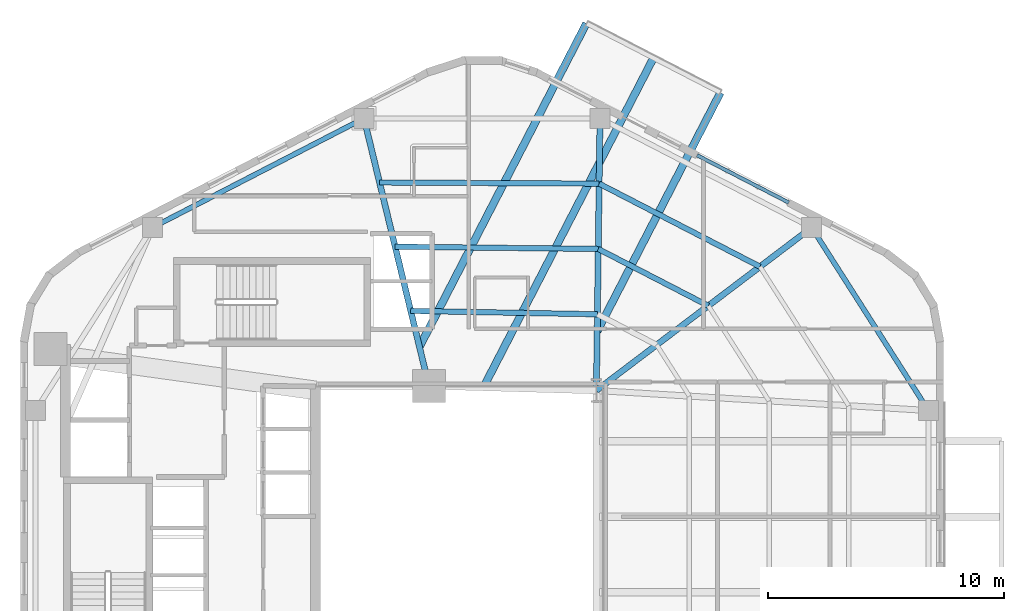
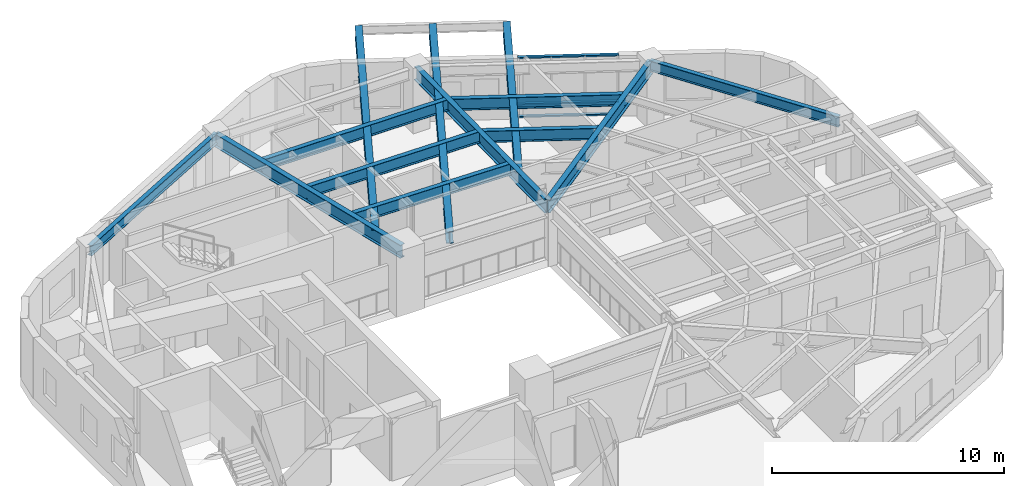
# One storey, part 2 of 12: 13 beams, 3 members, 1 element without a shape of its own.
"""IFC4 building model written with IfcOpenShell, lengths in metres."""

from ifc_helpers import new_model, si_unit, direction, frame, origin, origin_2d, place, context, subcontext, project, spatial, hollow_rectangle, i_section, extrude, material, layer, layer_set, material_profile, profile_set, type_object, element, aggregate, save


model = new_model("IFC4")

# Units and contexts
model_context = context("Model", 3, precision=1e-05, world=origin(), true_north=direction((0.0, 1.0)))
body_context = subcontext(model_context, "Body", "Model", "MODEL_VIEW")
ifc_project = project(units=[si_unit("LENGTHUNIT", "METRE"), si_unit("AREAUNIT", "SQUARE_METRE"), si_unit("VOLUMEUNIT", "CUBIC_METRE"), si_unit("PLANEANGLEUNIT", "RADIAN"), si_unit("MASSUNIT", "GRAM", prefix="KILO"), si_unit("THERMODYNAMICTEMPERATUREUNIT", "KELVIN"), si_unit("POWERUNIT", "WATT")], contexts=[model_context])

# Site, building, storey
site_placement = place(None, origin())
site = spatial("IfcSite", under=ifc_project, at=site_placement, CompositionType="ELEMENT")
building_placement = place(site_placement, origin())
building = spatial("IfcBuilding", under=site, at=building_placement, Name="Skarre Station Tower", CompositionType="ELEMENT")
storey_placement = place(building_placement, frame((0.0, 0.0, 163.64990234375)))
storey = spatial("IfcBuildingStorey", under=building, at=storey_placement, Name="L44", CompositionType="ELEMENT", Elevation=163.64990234375)

# Curtain wall, members
ifc_material_1 = material(Name="Thermally Broken Bronze-Anodized Aluminium & Triple Low-E Glass", Category="aluminium")
ifc_layer = layer(ifc_material_1, 0.18994140625, Name="Thermally Broken Bronze-Anodized Aluminium & Triple Low-E Glass")
ifc_layer_set = layer_set([ifc_layer], Name="Thermally Broken Bronze-Anodized Aluminium & Triple Low-E Glass")
curtain_wall_type = type_object("IfcCurtainWallType", Name="Sky-Garden Setback Conservatory Curtain Wall", PredefinedType="NOTDEFINED", material=ifc_layer_set)
curtain_wall_placement = place(storey_placement, origin())
curtain_wall = element("IfcCurtainWall", 1, at=curtain_wall_placement, inside=storey, type_object=curtain_wall_type, Name="L44 Facet 0 Conservatory Curtain Wall", PredefinedType="NOTDEFINED")
ifc_material_2 = material(Name="Anodized Aluminium 6063-T6", Category="aluminium")
ifc_material_profile_1 = material_profile(ifc_material_2, hollow_rectangle(XDim=0.074951171875, YDim=0.14990234375, WallThickness=0.00390625, at=origin_2d()), Name="Anodized Aluminium 6063-T6")
ifc_profile_set_1 = profile_set([ifc_material_profile_1], Name="Anodized Aluminium 6063-T6")
member_type = type_object("IfcMemberType", Name="Curtain-Wall Secondary Transom 150x75", PredefinedType="USERDEFINED", material=ifc_profile_set_1)
member_1_placement = place(storey_placement, frame((43.717041015625, 39.321044921875, 0.0400390625), z_axis=(0.888583241467, -0.458715405218, 0.0), x_axis=(0.0, 0.0, 1.0)))
member_1 = element("IfcMember", 2, at=member_1_placement, type_object=member_type, Name="L44 Facet 0 Conservatory Curtain Wall Transom 1", ObjectType="TRANSOM", PredefinedType="USERDEFINED", context=body_context, shape_type="SweptSolid", body=[
    extrude(hollow_rectangle(XDim=0.074951171875, YDim=0.14990234375, WallThickness=0.00390625, at=origin_2d()), origin(), (0.0, 0.0, 1.0), 4.37548828125),
])
member_2_placement = place(storey_placement, frame((43.717041015625, 39.321044921875, 0.7001953125), z_axis=(0.888583241467, -0.458715405218, 0.0), x_axis=(0.0, 0.0, 1.0)))
member_2 = element("IfcMember", 3, at=member_2_placement, type_object=member_type, Name="L44 Facet 0 Conservatory Curtain Wall Transom 2", ObjectType="TRANSOM", PredefinedType="USERDEFINED", context=body_context, shape_type="SweptSolid", body=[
    extrude(hollow_rectangle(XDim=0.074951171875, YDim=0.14990234375, WallThickness=0.00390625, at=origin_2d()), origin(), (0.0, 0.0, 1.0), 4.37548828125),
])
member_3_placement = place(storey_placement, frame((43.717041015625, 39.321044921875, 3.150146484375), z_axis=(0.888583241467, -0.458715405218, 0.0), x_axis=(0.0, 0.0, 1.0)))
member_3 = element("IfcMember", 4, at=member_3_placement, type_object=member_type, Name="L44 Facet 0 Conservatory Curtain Wall Transom 3", ObjectType="TRANSOM", PredefinedType="USERDEFINED", context=body_context, shape_type="SweptSolid", body=[
    extrude(hollow_rectangle(XDim=0.074951171875, YDim=0.14990234375, WallThickness=0.00390625, at=origin_2d()), origin(), (0.0, 0.0, 1.0), 4.37548828125),
])
aggregate(curtain_wall, [member_1, member_2, member_3])

# Beams
ifc_material_3 = material(Name="Steel ASTM A992 Grade 50", Category="steel")
ifc_material_profile_2 = material_profile(ifc_material_3, i_section(OverallWidth=0.323974609375, OverallDepth=0.611083984375, WebThickness=0.012939453125, FlangeThickness=0.01904296875, at=origin_2d()), Name="Steel ASTM A992 Grade 50")
ifc_profile_set_2 = profile_set([ifc_material_profile_2], Name="Steel ASTM A992 Grade 50")
beam_type_1 = type_object("IfcBeamType", Name="Steel Beam W24X104", PredefinedType="BEAM", material=ifc_profile_set_2)
beam_1_placement = place(storey_placement, frame((34.6630859375, 29.485107421875, 2.780029296875), z_axis=(0.458629062508, 0.888627809053, 0.0), x_axis=(-0.888627809053, 0.458629062508, 0.0)))
element("IfcBeam", 5, at=beam_1_placement, inside=storey, type_object=beam_type_1, Name="L44 SG-2-L45 Center Outrigger Beam", PredefinedType="BEAM", context=body_context, shape_type="SweptSolid", body=[
    extrude(i_section(OverallWidth=0.323974609375, OverallDepth=0.611083984375, WebThickness=0.012939453125, FlangeThickness=0.01904296875, at=origin_2d()), origin(), (0.0, 0.0, 1.0), 15.707275390625),
])
beam_2_placement = place(storey_placement, frame((31.949951171875, 31.198974609375, 2.780029296875), z_axis=(0.458607853228, 0.888638755039, 0.0), x_axis=(-0.888638755039, 0.458607853228, 0.0)))
element("IfcBeam", 6, at=beam_2_placement, inside=storey, type_object=beam_type_1, Name="L44 SG-2-L45 Outrigger Beam 1", PredefinedType="BEAM", context=body_context, shape_type="SweptSolid", body=[
    extrude(i_section(OverallWidth=0.323974609375, OverallDepth=0.611083984375, WebThickness=0.012939453125, FlangeThickness=0.01904296875, at=origin_2d()), origin(), (0.0, 0.0, 1.0), 15.42919921875),
])
beam_3_placement = place(storey_placement, frame((39.48291015625, 31.85205078125, 2.780029296875), z_axis=(0.45859379578, 0.888646009653, 0.0), x_axis=(-0.888646009653, 0.45859379578, 0.0)))
element("IfcBeam", 7, at=beam_3_placement, inside=storey, type_object=beam_type_1, Name="L44 SG-2-L45 Outrigger Beam 2", PredefinedType="BEAM", context=body_context, shape_type="SweptSolid", body=[
    extrude(i_section(OverallWidth=0.323974609375, OverallDepth=0.611083984375, WebThickness=0.012939453125, FlangeThickness=0.01904296875, at=origin_2d()), origin(), (0.0, 0.0, 1.0), 11.393798828125),
])
ifc_material_profile_3 = material_profile(ifc_material_3, i_section(OverallWidth=0.256103515625, OverallDepth=0.693115234375, WebThickness=0.013916015625, FlangeThickness=0.02392578125, at=origin_2d()), Name="Steel ASTM A992 Grade 50")
ifc_profile_set_3 = profile_set([ifc_material_profile_3], Name="Steel ASTM A992 Grade 50")
beam_type_2 = type_object("IfcBeamType", Name="Steel Beam W27X114", PredefinedType="BEAM", material=ifc_profile_set_3)
beam_4_placement = place(storey_placement, frame((39.449951171875, 29.35009765625, 2.843994140625), z_axis=(0.797308988117, 0.603571352425, 0.0), x_axis=(-0.603571352425, 0.797308988117, 0.0)))
element("IfcBeam", 8, at=beam_4_placement, inside=storey, type_object=beam_type_2, Name="L44 Radial Floor Girder F0C1", PredefinedType="BEAM", context=body_context, shape_type="SweptSolid", body=[
    extrude(i_section(OverallWidth=0.256103515625, OverallDepth=0.693115234375, WebThickness=0.013916015625, FlangeThickness=0.02392578125, at=origin_2d()), origin(), (0.0, 0.0, 1.0), 11.443603515625),
])
beam_5_placement = place(storey_placement, frame((39.449951171875, 29.35009765625, 2.843994140625), z_axis=(0.013181528887, 0.999913119874, 0.0), x_axis=(-0.999913119874, 0.013181528887, 0.0)))
element("IfcBeam", 9, at=beam_5_placement, inside=storey, type_object=beam_type_2, Name="L44 Radial Floor Girder F0C2", PredefinedType="BEAM", context=body_context, shape_type="SweptSolid", body=[
    extrude(i_section(OverallWidth=0.256103515625, OverallDepth=0.693115234375, WebThickness=0.013916015625, FlangeThickness=0.02392578125, at=origin_2d()), origin(), (0.0, 0.0, 1.0), 11.538818359375),
])
beam_6_placement = place(storey_placement, frame((32.35009765625, 29.550048828125, 2.843994140625), z_axis=(-0.235892880832, 0.971779063765, 0.0), x_axis=(-0.971779063765, -0.235892880832, 0.0)))
element("IfcBeam", 10, at=beam_6_placement, inside=storey, type_object=beam_type_2, Name="L44 Radial Floor Girder F1C1", PredefinedType="BEAM", context=body_context, shape_type="SweptSolid", body=[
    extrude(i_section(OverallWidth=0.256103515625, OverallDepth=0.693115234375, WebThickness=0.013916015625, FlangeThickness=0.02392578125, at=origin_2d()), origin(), (0.0, 0.0, 1.0), 11.667236328125),
])
ifc_material_profile_4 = material_profile(ifc_material_3, i_section(OverallWidth=0.22802734375, OverallDepth=0.60791015625, WebThickness=0.010986328125, FlangeThickness=0.01708984375, at=origin_2d()), Name="Steel ASTM A992 Grade 50")
ifc_profile_set_4 = profile_set([ifc_material_profile_4], Name="Steel ASTM A992 Grade 50")
beam_type_3 = type_object("IfcBeamType", Name="Steel Joist W24X76", PredefinedType="JOIST", material=ifc_profile_set_4)
beam_7_placement = place(storey_placement, frame((44.194091796875, 32.94189453125, 2.885986328125), z_axis=(-0.888586417093, 0.458709253622, 0.0), x_axis=(-0.458709253622, -0.888586417093, 0.0)))
element("IfcBeam", 11, at=beam_7_placement, inside=storey, type_object=beam_type_3, Name="L44 Secondary Floor Joist 2", PredefinedType="JOIST", context=body_context, shape_type="SweptSolid", body=[
    extrude(i_section(OverallWidth=0.22802734375, OverallDepth=0.60791015625, WebThickness=0.010986328125, FlangeThickness=0.01708984375, at=origin_2d()), origin(), (0.0, 0.0, 1.0), 5.25),
])
beam_8_placement = place(storey_placement, frame((46.384033203125, 34.59912109375, 2.885986328125), z_axis=(-0.888580913917, 0.458719913916, 0.0), x_axis=(-0.458719913916, -0.888580913917, 0.0)))
element("IfcBeam", 12, at=beam_8_placement, inside=storey, type_object=beam_type_3, Name="L44 Secondary Floor Joist 3", PredefinedType="JOIST", context=body_context, shape_type="SweptSolid", body=[
    extrude(i_section(OverallWidth=0.22802734375, OverallDepth=0.60791015625, WebThickness=0.010986328125, FlangeThickness=0.01708984375, at=origin_2d()), origin(), (0.0, 0.0, 1.0), 7.673095703125),
])
beam_9_placement = place(storey_placement, frame((39.492919921875, 32.5810546875, 2.885986328125), z_axis=(-0.999834394757, 0.01819843569, 0.0), x_axis=(-0.01819843569, -0.999834394757, 0.0)))
element("IfcBeam", 13, at=beam_9_placement, inside=storey, type_object=beam_type_3, Name="L44 Secondary Floor Joist 4", PredefinedType="JOIST", context=body_context, shape_type="SweptSolid", body=[
    extrude(i_section(OverallWidth=0.22802734375, OverallDepth=0.60791015625, WebThickness=0.010986328125, FlangeThickness=0.01708984375, at=origin_2d()), origin(), (0.0, 0.0, 1.0), 7.9150390625),
])
beam_10_placement = place(storey_placement, frame((39.529052734375, 35.35009765625, 2.885986328125), z_axis=(-0.999937916295, 0.011142870137, 0.0), x_axis=(-0.011142870137, -0.999937916295, 0.0)))
element("IfcBeam", 14, at=beam_10_placement, inside=storey, type_object=beam_type_3, Name="L44 Secondary Floor Joist 5", PredefinedType="JOIST", context=body_context, shape_type="SweptSolid", body=[
    extrude(i_section(OverallWidth=0.22802734375, OverallDepth=0.60791015625, WebThickness=0.010986328125, FlangeThickness=0.01708984375, at=origin_2d()), origin(), (0.0, 0.0, 1.0), 8.610595703125),
])
beam_11_placement = place(storey_placement, frame((39.56591796875, 38.118896484375, 2.885986328125), z_axis=(-0.999986650222, 0.005167144134, 0.0), x_axis=(-0.005167144134, -0.999986650222, 0.0)))
element("IfcBeam", 15, at=beam_11_placement, inside=storey, type_object=beam_type_3, Name="L44 Secondary Floor Joist 6", PredefinedType="JOIST", context=body_context, shape_type="SweptSolid", body=[
    extrude(i_section(OverallWidth=0.22802734375, OverallDepth=0.60791015625, WebThickness=0.010986328125, FlangeThickness=0.01708984375, at=origin_2d()), origin(), (0.0, 0.0, 1.0), 9.30810546875),
])
ifc_material_profile_5 = material_profile(ifc_material_3, i_section(OverallWidth=0.214111328125, OverallDepth=0.549072265625, WebThickness=0.014892578125, FlangeThickness=0.02392578125, at=origin_2d()), Name="Steel ASTM A992 Grade 50")
ifc_profile_set_5 = profile_set([ifc_material_profile_5], Name="Steel ASTM A992 Grade 50")
beam_type_4 = type_object("IfcBeamType", Name="Steel Spandrel W21X93", PredefinedType="SPANDREL", material=ifc_profile_set_5)
beam_12_placement = place(storey_placement, frame((29.597900390625, 40.887939453125, 2.916015625), z_axis=(-0.888613027226, -0.458657702262, 0.0), x_axis=(0.458657702262, -0.888613027226, 0.0)))
element("IfcBeam", 16, at=beam_12_placement, inside=storey, type_object=beam_type_4, Name="L44 Facet Spandrel Beam 3", PredefinedType="SPANDREL", context=body_context, shape_type="SweptSolid", body=[
    extrude(i_section(OverallWidth=0.214111328125, OverallDepth=0.549072265625, WebThickness=0.014892578125, FlangeThickness=0.02392578125, at=origin_2d()), origin(), (0.0, 0.0, 1.0), 10.096435546875),
])
beam_13_placement = place(storey_placement, frame((53.52197265625, 28.5009765625, 2.916015625), z_axis=(-0.537826426158, 0.843055594445, 0.0), x_axis=(-0.843055594445, -0.537826426158, 0.0)))
element("IfcBeam", 17, at=beam_13_placement, inside=storey, type_object=beam_type_4, Name="L44 Facet Spandrel Beam 12", PredefinedType="SPANDREL", context=body_context, shape_type="SweptSolid", body=[
    extrude(i_section(OverallWidth=0.214111328125, OverallDepth=0.549072265625, WebThickness=0.014892578125, FlangeThickness=0.02392578125, at=origin_2d()), origin(), (0.0, 0.0, 1.0), 9.199951171875),
])

save(model, "model.ifc")
